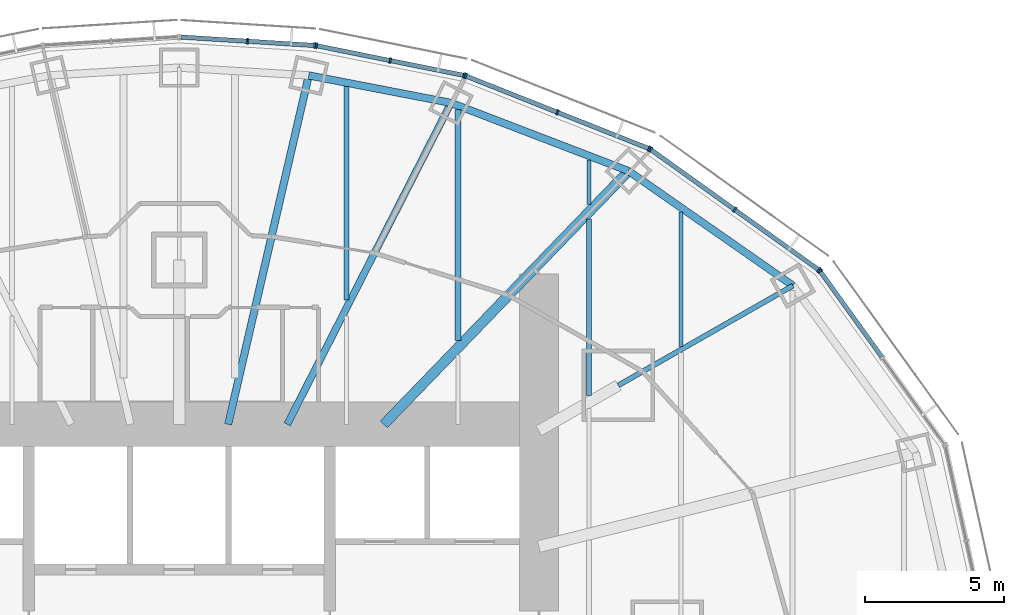
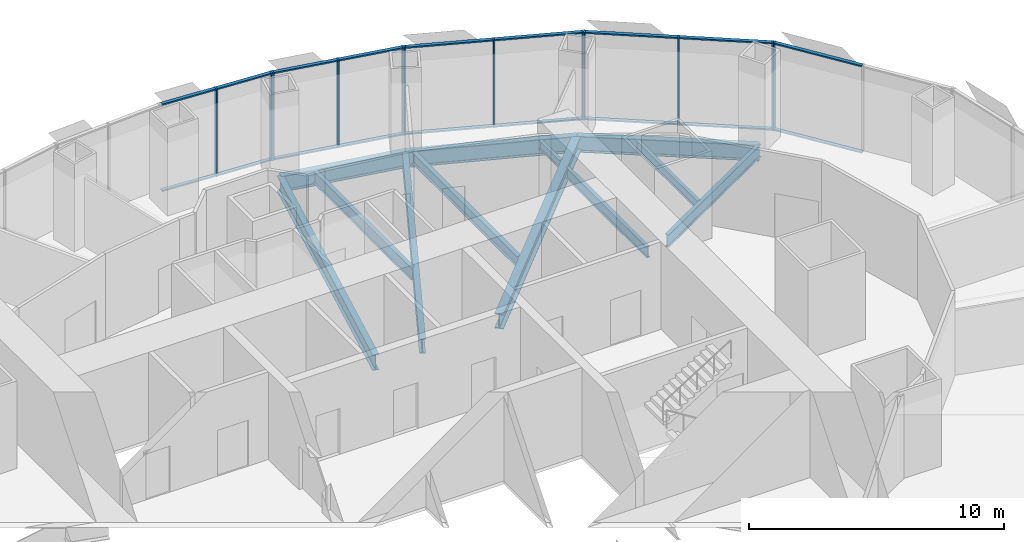
# One storey, part 8 of 18: 30 members, 12 beams, 5 elements without a shape of their own.
"""IFC4 building model written with IfcOpenShell, lengths in metres."""

from ifc_helpers import new_model, si_unit, direction, frame, origin, origin_2d, place, context, subcontext, project, spatial, rectangle, i_section, extrude, material, material_profile, profile_set, type_object, element, aggregate, save


model = new_model("IFC4")

# Units and contexts
model_context = context("Model", 3, precision=1e-05, world=origin(), true_north=direction((0.0, 1.0)))
body_context = subcontext(model_context, "Body", "Model", "MODEL_VIEW")
ifc_project = project(units=[si_unit("LENGTHUNIT", "METRE"), si_unit("AREAUNIT", "SQUARE_METRE"), si_unit("VOLUMEUNIT", "CUBIC_METRE"), si_unit("PLANEANGLEUNIT", "RADIAN"), si_unit("MASSUNIT", "GRAM", prefix="KILO")], contexts=[model_context])

# Site, building, storey
site_placement = place(None, origin())
site = spatial("IfcSite", under=ifc_project, at=site_placement, CompositionType="ELEMENT")
building_placement = place(site_placement, origin())
building = spatial("IfcBuilding", under=site, at=building_placement, Name="Lantaw Convention Tower", CompositionType="ELEMENT")
storey_placement = place(building_placement, frame((0.0, 0.0, 176.199951171875)))
storey = spatial("IfcBuildingStorey", under=building, at=storey_placement, Name="L41", CompositionType="ELEMENT", Elevation=176.199951171875)

# Beams
ifc_material_1 = material(Name="Steel ASTM A992", Category="steel")
ifc_material_profile_1 = material_profile(ifc_material_1, i_section(OverallWidth=0.2666015625, OverallDepth=0.76953125, WebThickness=0.015625, FlangeThickness=0.025390625, FilletRadius=0.0126953125, at=origin_2d()), Name="W30X132")
ifc_profile_set_1 = profile_set([ifc_material_profile_1], Name="Steel ASTM A992")
beam_type_1 = type_object("IfcBeamType", Name="Beam E W30X132", PredefinedType="SPANDREL", material=ifc_profile_set_1)
beam_1_placement = place(storey_placement, frame((22.013916015625, 12.579345703125, -0.53466796875), z_axis=(-0.820310765287, 0.57191804339, 0.0), x_axis=(-0.57191804339, -0.820310765287, 0.0)))
element("IfcBeam", 1, at=beam_1_placement, inside=storey, type_object=beam_type_1, Name="Edge beam 3", PredefinedType="SPANDREL", context=body_context, shape_type="SweptSolid", body=[
    extrude(i_section(OverallWidth=0.2666015625, OverallDepth=0.76953125, WebThickness=0.015625, FlangeThickness=0.025390625, FilletRadius=0.0126953125, at=origin_2d()), origin(), (0.0, 0.0, 1.0), 7.187744140625),
])
beam_2_placement = place(storey_placement, frame((16.11767578125, 16.690185546875, -0.53466796875), z_axis=(-0.933691081977, 0.358079549033, 0.0), x_axis=(-0.358079549033, -0.933691081977, 0.0)))
element("IfcBeam", 2, at=beam_2_placement, inside=storey, type_object=beam_type_1, Name="Edge beam 4", PredefinedType="SPANDREL", context=body_context, shape_type="SweptSolid", body=[
    extrude(i_section(OverallWidth=0.2666015625, OverallDepth=0.76953125, WebThickness=0.015625, FlangeThickness=0.025390625, FilletRadius=0.0126953125, at=origin_2d()), origin(), (0.0, 0.0, 1.0), 6.821533203125),
])
beam_3_placement = place(storey_placement, frame((9.74853515625, 19.1328125, -0.53466796875), z_axis=(-0.981796805654, 0.189934284446, 0.0), x_axis=(-0.189934284446, -0.981796805654, 0.0)))
element("IfcBeam", 3, at=beam_3_placement, inside=storey, type_object=beam_type_1, Name="Edge beam 5", PredefinedType="SPANDREL", context=body_context, shape_type="SweptSolid", body=[
    extrude(i_section(OverallWidth=0.2666015625, OverallDepth=0.76953125, WebThickness=0.015625, FlangeThickness=0.025390625, FilletRadius=0.0126953125, at=origin_2d()), origin(), (0.0, 0.0, 1.0), 5.1982421875),
])
ifc_material_profile_2 = material_profile(ifc_material_1, i_section(OverallWidth=0.177978515625, OverallDepth=0.599365234375, WebThickness=0.010009765625, FlangeThickness=0.012939453125, FilletRadius=0.012939453125, at=origin_2d()), Name="W24X55")
ifc_profile_set_2 = profile_set([ifc_material_profile_2], Name="Steel ASTM A992")
beam_type_2 = type_object("IfcBeamType", Name="Beam G W24X55", PredefinedType="BEAM", material=ifc_profile_set_2)
beam_4_placement = place(storey_placement, frame((15.75, 9.0, -0.44970703125), z_axis=(0.868245224608, 0.496135293993, 0.0), x_axis=(-0.496135293993, 0.868245224608, 0.0)))
element("IfcBeam", 4, at=beam_4_placement, inside=storey, type_object=beam_type_2, Name="Floor girder on ray 3", PredefinedType="BEAM", context=body_context, shape_type="SweptSolid", body=[
    extrude(i_section(OverallWidth=0.177978515625, OverallDepth=0.599365234375, WebThickness=0.010009765625, FlangeThickness=0.012939453125, FilletRadius=0.012939453125, at=origin_2d()), origin(), (0.0, 0.0, 1.0), 7.21435546875),
])
ifc_material_profile_3 = material_profile(ifc_material_1, i_section(OverallWidth=0.25390625, OverallDepth=0.700927734375, WebThickness=0.015380859375, FlangeThickness=0.02783203125, FilletRadius=0.01513671875, at=origin_2d()), Name="W27X129")
ifc_profile_set_3 = profile_set([ifc_material_profile_3], Name="Steel ASTM A992")
beam_type_3 = type_object("IfcBeamType", Name="Beam G W27X129", PredefinedType="BEAM", material=ifc_profile_set_3)
beam_5_placement = place(storey_placement, frame((3.872314453125, 7.60009765625, -0.50048828125), z_axis=(0.453991051051, 0.891006243281, 0.0), x_axis=(-0.891006243281, 0.453991051051, 0.0)))
element("IfcBeam", 5, at=beam_5_placement, inside=storey, type_object=beam_type_3, Name="Floor girder on ray 5", PredefinedType="BEAM", context=body_context, shape_type="SweptSolid", body=[
    extrude(i_section(OverallWidth=0.25390625, OverallDepth=0.700927734375, WebThickness=0.015380859375, FlangeThickness=0.02783203125, FilletRadius=0.01513671875, at=origin_2d()), origin(), (0.0, 0.0, 1.0), 12.943359375),
])
ifc_material_profile_4 = material_profile(ifc_material_1, i_section(OverallWidth=0.360595703125, OverallDepth=0.72900390625, WebThickness=0.023193359375, FlangeThickness=0.041015625, FilletRadius=0.0126953125, at=origin_2d()), Name="W27X235")
ifc_profile_set_4 = profile_set([ifc_material_profile_4], Name="Steel ASTM A992")
beam_type_4 = type_object("IfcBeamType", Name="Beam G W27X235", PredefinedType="BEAM", material=ifc_profile_set_4)
beam_6_placement = place(storey_placement, frame((7.33935546875, 7.60009765625, -0.514404296875), z_axis=(0.694663467407, 0.719334878239, 0.0), x_axis=(-0.719334878239, 0.694663467407, 0.0)))
element("IfcBeam", 6, at=beam_6_placement, inside=storey, type_object=beam_type_4, Name="Floor girder on ray 4", PredefinedType="BEAM", context=body_context, shape_type="SweptSolid", body=[
    extrude(i_section(OverallWidth=0.360595703125, OverallDepth=0.72900390625, WebThickness=0.023193359375, FlangeThickness=0.041015625, FilletRadius=0.0126953125, at=origin_2d()), origin(), (0.0, 0.0, 1.0), 12.63671875),
])
ifc_material_profile_5 = material_profile(ifc_material_1, i_section(OverallWidth=0.2666015625, OverallDepth=0.7568359375, WebThickness=0.013916015625, FlangeThickness=0.019287109375, FilletRadius=0.0126953125, at=origin_2d()), Name="W30X108")
ifc_profile_set_5 = profile_set([ifc_material_profile_5], Name="Steel ASTM A992")
beam_type_5 = type_object("IfcBeamType", Name="Beam G W30X108", PredefinedType="BEAM", material=ifc_profile_set_5)
beam_7_placement = place(storey_placement, frame((1.754638671875, 7.60009765625, -0.5283203125), z_axis=(0.224944153104, 0.974371658036, 0.0), x_axis=(-0.974371658036, 0.224944153104, 0.0)))
element("IfcBeam", 7, at=beam_7_placement, inside=storey, type_object=beam_type_5, Name="Floor girder on ray 6", PredefinedType="BEAM", context=body_context, shape_type="SweptSolid", body=[
    extrude(i_section(OverallWidth=0.2666015625, OverallDepth=0.7568359375, WebThickness=0.013916015625, FlangeThickness=0.019287109375, FilletRadius=0.0126953125, at=origin_2d()), origin(), (0.0, 0.0, 1.0), 12.849365234375),
])
ifc_material_profile_6 = material_profile(ifc_material_1, i_section(OverallWidth=0.140380859375, OverallDepth=0.40380859375, WebThickness=0.007080078125, FlangeThickness=0.01123046875, FilletRadius=0.01025390625, at=origin_2d()), Name="W16X31")
ifc_profile_set_6 = profile_set([ifc_material_profile_6], Name="Steel ASTM A992")
beam_type_6 = type_object("IfcBeamType", Name="Beam J W16X31", PredefinedType="JOIST", material=ifc_profile_set_6)
beam_8_placement = place(storey_placement, frame((14.699951171875, 15.48193359375, -0.351806640625), z_axis=(0.0, 1.0, 0.0), x_axis=(-1.0, 0.0, 0.0)))
element("IfcBeam", 8, at=beam_8_placement, inside=storey, type_object=beam_type_6, Name="Floor joist", PredefinedType="JOIST", context=body_context, shape_type="SweptSolid", body=[
    extrude(i_section(OverallWidth=0.140380859375, OverallDepth=0.40380859375, WebThickness=0.007080078125, FlangeThickness=0.01123046875, FilletRadius=0.01025390625, at=origin_2d()), origin(), (0.0, 0.0, 1.0), 1.609130859375),
])
ifc_material_profile_7 = material_profile(ifc_material_1, i_section(OverallWidth=0.15234375, OverallDepth=0.449462890625, WebThickness=0.007568359375, FlangeThickness=0.0107421875, FilletRadius=0.01025390625, at=origin_2d()), Name="W18X35")
ifc_profile_set_7 = profile_set([ifc_material_profile_7], Name="Steel ASTM A992")
beam_type_7 = type_object("IfcBeamType", Name="Beam J W18X35", PredefinedType="JOIST", material=ifc_profile_set_7)
beam_9_placement = place(storey_placement, frame((18.0, 10.38818359375, -0.374755859375), z_axis=(0.0, 1.0, 0.0), x_axis=(-1.0, 0.0, 0.0)))
element("IfcBeam", 9, at=beam_9_placement, inside=storey, type_object=beam_type_7, Name="Floor joist", PredefinedType="JOIST", context=body_context, shape_type="SweptSolid", body=[
    extrude(i_section(OverallWidth=0.15234375, OverallDepth=0.449462890625, WebThickness=0.007568359375, FlangeThickness=0.0107421875, FilletRadius=0.01025390625, at=origin_2d()), origin(), (0.0, 0.0, 1.0), 4.8271484375),
])
ifc_material_profile_8 = material_profile(ifc_material_1, i_section(OverallWidth=0.1650390625, OverallDepth=0.52587890625, WebThickness=0.0087890625, FlangeThickness=0.011474609375, FilletRadius=0.0126953125, at=origin_2d()), Name="W21X44")
ifc_profile_set_8 = profile_set([ifc_material_profile_8], Name="Steel ASTM A992")
beam_type_8 = type_object("IfcBeamType", Name="Beam J W21X44", PredefinedType="JOIST", material=ifc_profile_set_8)
beam_10_placement = place(storey_placement, frame((14.699951171875, 8.632568359375, -0.412841796875), z_axis=(0.0, 1.0, 0.0), x_axis=(-1.0, 0.0, 0.0)))
element("IfcBeam", 10, at=beam_10_placement, inside=storey, type_object=beam_type_8, Name="Floor joist", PredefinedType="JOIST", context=body_context, shape_type="SweptSolid", body=[
    extrude(i_section(OverallWidth=0.1650390625, OverallDepth=0.52587890625, WebThickness=0.0087890625, FlangeThickness=0.011474609375, FilletRadius=0.0126953125, at=origin_2d()), origin(), (0.0, 0.0, 1.0), 6.330078125),
])
ifc_material_profile_9 = material_profile(ifc_material_1, i_section(OverallWidth=0.2099609375, OverallDepth=0.535888671875, WebThickness=0.010986328125, FlangeThickness=0.017333984375, FilletRadius=0.012939453125, at=origin_2d()), Name="W21X68")
ifc_profile_set_9 = profile_set([ifc_material_profile_9], Name="Steel ASTM A992")
beam_type_9 = type_object("IfcBeamType", Name="Beam J W21X68", PredefinedType="JOIST", material=ifc_profile_set_9)
beam_11_placement = place(storey_placement, frame((10.0, 10.614990234375, -0.41796875), z_axis=(0.0, 1.0, 0.0), x_axis=(-1.0, 0.0, 0.0)))
element("IfcBeam", 11, at=beam_11_placement, inside=storey, type_object=beam_type_9, Name="Floor joist", PredefinedType="JOIST", context=body_context, shape_type="SweptSolid", body=[
    extrude(i_section(OverallWidth=0.2099609375, OverallDepth=0.535888671875, WebThickness=0.010986328125, FlangeThickness=0.017333984375, FilletRadius=0.012939453125, at=origin_2d()), origin(), (0.0, 0.0, 1.0), 8.278564453125),
])
ifc_material_profile_10 = material_profile(ifc_material_1, i_section(OverallWidth=0.177978515625, OverallDepth=0.599365234375, WebThickness=0.010009765625, FlangeThickness=0.012939453125, FilletRadius=0.012939453125, at=origin_2d()), Name="W24X55")
ifc_profile_set_10 = profile_set([ifc_material_profile_10], Name="Steel ASTM A992")
beam_type_10 = type_object("IfcBeamType", Name="Beam J W24X55", PredefinedType="JOIST", material=ifc_profile_set_10)
beam_12_placement = place(storey_placement, frame((6.0, 12.055419921875, -0.44970703125), z_axis=(0.0, 1.0, 0.0), x_axis=(-1.0, 0.0, 0.0)))
element("IfcBeam", 12, at=beam_12_placement, inside=storey, type_object=beam_type_10, Name="Floor joist", PredefinedType="JOIST", context=body_context, shape_type="SweptSolid", body=[
    extrude(i_section(OverallWidth=0.177978515625, OverallDepth=0.599365234375, WebThickness=0.010009765625, FlangeThickness=0.012939453125, FilletRadius=0.012939453125, at=origin_2d()), origin(), (0.0, 0.0, 1.0), 7.666748046875),
])

# Curtain wall, member
ifc_material_2 = material(Name="Aluminium framed curtain wall", Category="aluminium")
curtain_wall_type = type_object("IfcCurtainWallType", Name="Office curtain wall low rise, pale aluminium", PredefinedType="USERDEFINED", material=ifc_material_2)
curtain_wall_1_placement = place(storey_placement, origin())
curtain_wall_1 = element("IfcCurtainWall", 13, at=curtain_wall_1_placement, inside=storey, type_object=curtain_wall_type, Name="Office curtain wall low rise, pale aluminium L41", ObjectType="UNITISED CURTAIN WALL", PredefinedType="USERDEFINED")
ifc_material_3 = material(Name="Aluminium 6063-T6", Category="aluminium")
ifc_material_profile_11 = material_profile(ifc_material_3, rectangle(XDim=0.199951171875, YDim=0.06494140625, at=origin_2d()), Name="CW-O1 mullion 65x200")
ifc_profile_set_11 = profile_set([ifc_material_profile_11], Name="Aluminium 6063-T6")
member_type_1 = type_object("IfcMemberType", Name="CW-O1 mullion 65x200", PredefinedType="MULLION", material=ifc_profile_set_11)
member_1_placement = place(storey_placement, frame((22.988037109375, 13.098876953125, -0.14990234375), z_axis=(0.0, 0.0, 1.0), x_axis=(-0.811384633629, -0.584512597221, 0.0)))
member_1 = element("IfcMember", 14, at=member_1_placement, type_object=member_type_1, Name="CW-O1 mullion 3", PredefinedType="MULLION", context=body_context, shape_type="SweptSolid", body=[
    extrude(rectangle(XDim=0.199951171875, YDim=0.06494140625, at=origin_2d()), origin(), (0.0, 0.0, 1.0), 4.199951171875),
])

# Curtain wall, members
curtain_wall_2_placement = place(storey_placement, origin())
curtain_wall_2 = element("IfcCurtainWall", 15, at=curtain_wall_2_placement, inside=storey, type_object=curtain_wall_type, Name="Office curtain wall low rise, pale aluminium L41", ObjectType="UNITISED CURTAIN WALL", PredefinedType="USERDEFINED")
member_2_placement = place(storey_placement, frame((22.942626953125, 13.14404296875, -0.14990234375), z_axis=(0.0, 0.0, 1.0), x_axis=(-0.581972695693, -0.813208325995, 0.0)))
member_2 = element("IfcMember", 16, at=member_2_placement, type_object=member_type_1, Name="CW-O1 mullion 1", PredefinedType="MULLION", context=body_context, shape_type="SweptSolid", body=[
    extrude(rectangle(XDim=0.199951171875, YDim=0.06494140625, at=origin_2d()), origin(), (0.0, 0.0, 1.0), 4.199951171875),
])
member_3_placement = place(storey_placement, frame((19.92529296875, 15.303466796875, -0.14990234375), z_axis=(0.0, 0.0, 1.0), x_axis=(-0.581972695693, -0.813208325995, 0.0)))
member_3 = element("IfcMember", 17, at=member_3_placement, type_object=member_type_1, Name="CW-O1 mullion 2", PredefinedType="MULLION", context=body_context, shape_type="SweptSolid", body=[
    extrude(rectangle(XDim=0.199951171875, YDim=0.06494140625, at=origin_2d()), origin(), (0.0, 0.0, 1.0), 4.199951171875),
])
member_4_placement = place(storey_placement, frame((16.908203125, 17.462646484375, -0.14990234375), z_axis=(0.0, 0.0, 1.0), x_axis=(-0.581972695693, -0.813208325995, 0.0)))
member_4 = element("IfcMember", 18, at=member_4_placement, type_object=member_type_1, Name="CW-O1 mullion 3", PredefinedType="MULLION", context=body_context, shape_type="SweptSolid", body=[
    extrude(rectangle(XDim=0.199951171875, YDim=0.06494140625, at=origin_2d()), origin(), (0.0, 0.0, 1.0), 4.199951171875),
])

curtain_wall_3_placement = place(storey_placement, origin())
curtain_wall_3 = element("IfcCurtainWall", 19, at=curtain_wall_3_placement, inside=storey, type_object=curtain_wall_type, Name="Office curtain wall low rise, pale aluminium L41", ObjectType="UNITISED CURTAIN WALL", PredefinedType="USERDEFINED")
member_5_placement = place(storey_placement, frame((16.8515625, 17.49365234375, -0.14990234375), z_axis=(0.0, 0.0, 1.0), x_axis=(-0.368701907483, -0.929547687544, 0.0)))
member_5 = element("IfcMember", 20, at=member_5_placement, type_object=member_type_1, Name="CW-O1 mullion 1", PredefinedType="MULLION", context=body_context, shape_type="SweptSolid", body=[
    extrude(rectangle(XDim=0.199951171875, YDim=0.06494140625, at=origin_2d()), origin(), (0.0, 0.0, 1.0), 4.199951171875),
])
member_6_placement = place(storey_placement, frame((13.56494140625, 18.797119140625, -0.14990234375), z_axis=(0.0, 0.0, 1.0), x_axis=(-0.368701907483, -0.929547687544, 0.0)))
member_6 = element("IfcMember", 21, at=member_6_placement, type_object=member_type_1, Name="CW-O1 mullion 2", PredefinedType="MULLION", context=body_context, shape_type="SweptSolid", body=[
    extrude(rectangle(XDim=0.199951171875, YDim=0.06494140625, at=origin_2d()), origin(), (0.0, 0.0, 1.0), 4.199951171875),
])
member_7_placement = place(storey_placement, frame((10.2783203125, 20.100830078125, -0.14990234375), z_axis=(0.0, 0.0, 1.0), x_axis=(-0.368701907483, -0.929547687544, 0.0)))
member_7 = element("IfcMember", 22, at=member_7_placement, type_object=member_type_1, Name="CW-O1 mullion 3", PredefinedType="MULLION", context=body_context, shape_type="SweptSolid", body=[
    extrude(rectangle(XDim=0.199951171875, YDim=0.06494140625, at=origin_2d()), origin(), (0.0, 0.0, 1.0), 4.199951171875),
])

curtain_wall_4_placement = place(storey_placement, origin())
curtain_wall_4 = element("IfcCurtainWall", 23, at=curtain_wall_4_placement, inside=storey, type_object=curtain_wall_type, Name="Office curtain wall low rise, pale aluminium L41", ObjectType="UNITISED CURTAIN WALL", PredefinedType="USERDEFINED")
member_8_placement = place(storey_placement, frame((10.216064453125, 20.119140625, -0.14990234375), z_axis=(0.0, 0.0, 1.0), x_axis=(-0.197506809659, -0.980301514912, 0.0)))
member_8 = element("IfcMember", 24, at=member_8_placement, type_object=member_type_1, Name="CW-O1 mullion 1", PredefinedType="MULLION", context=body_context, shape_type="SweptSolid", body=[
    extrude(rectangle(XDim=0.199951171875, YDim=0.06494140625, at=origin_2d()), origin(), (0.0, 0.0, 1.0), 4.199951171875),
])
member_9_placement = place(storey_placement, frame((7.5703125, 20.65234375, -0.14990234375), z_axis=(0.0, 0.0, 1.0), x_axis=(-0.197506809659, -0.980301514912, 0.0)))
member_9 = element("IfcMember", 25, at=member_9_placement, type_object=member_type_1, Name="CW-O1 mullion 2", PredefinedType="MULLION", context=body_context, shape_type="SweptSolid", body=[
    extrude(rectangle(XDim=0.199951171875, YDim=0.06494140625, at=origin_2d()), origin(), (0.0, 0.0, 1.0), 4.199951171875),
])
member_10_placement = place(storey_placement, frame((4.92431640625, 21.185302734375, -0.14990234375), z_axis=(0.0, 0.0, 1.0), x_axis=(-0.197506809659, -0.980301514912, 0.0)))
member_10 = element("IfcMember", 26, at=member_10_placement, type_object=member_type_1, Name="CW-O1 mullion 3", PredefinedType="MULLION", context=body_context, shape_type="SweptSolid", body=[
    extrude(rectangle(XDim=0.199951171875, YDim=0.06494140625, at=origin_2d()), origin(), (0.0, 0.0, 1.0), 4.199951171875),
])

curtain_wall_5_placement = place(storey_placement, origin())
curtain_wall_5 = element("IfcCurtainWall", 27, at=curtain_wall_5_placement, inside=storey, type_object=curtain_wall_type, Name="Office curtain wall low rise, pale aluminium L41", ObjectType="UNITISED CURTAIN WALL", PredefinedType="USERDEFINED")
member_11_placement = place(storey_placement, frame((4.860107421875, 21.19384765625, -0.14990234375), z_axis=(0.0, 0.0, 1.0), x_axis=(-0.062865059466, -0.998022035978, 0.0)))
member_11 = element("IfcMember", 28, at=member_11_placement, type_object=member_type_1, Name="CW-O1 mullion 1", PredefinedType="MULLION", context=body_context, shape_type="SweptSolid", body=[
    extrude(rectangle(XDim=0.199951171875, YDim=0.06494140625, at=origin_2d()), origin(), (0.0, 0.0, 1.0), 4.199951171875),
])
member_12_placement = place(storey_placement, frame((2.4462890625, 21.345947265625, -0.14990234375), z_axis=(0.0, 0.0, 1.0), x_axis=(-0.062865059466, -0.998022035978, 0.0)))
member_12 = element("IfcMember", 29, at=member_12_placement, type_object=member_type_1, Name="CW-O1 mullion 2", PredefinedType="MULLION", context=body_context, shape_type="SweptSolid", body=[
    extrude(rectangle(XDim=0.199951171875, YDim=0.06494140625, at=origin_2d()), origin(), (0.0, 0.0, 1.0), 4.199951171875),
])

# Member
ifc_material_profile_12 = material_profile(ifc_material_3, rectangle(XDim=0.159912109375, YDim=0.06494140625, at=origin_2d()), Name="CW-O1 transom 65x160")
ifc_profile_set_12 = profile_set([ifc_material_profile_12], Name="Aluminium 6063-T6")
member_type_2 = type_object("IfcMemberType", Name="CW-O1 transom 65x160", PredefinedType="USERDEFINED", material=ifc_profile_set_12)
member_13_placement = place(storey_placement, frame((25.209228515625, 10.015625, -0.117431640625), z_axis=(-0.584512973979, 0.811384362217, 0.0), x_axis=(-0.811384362217, -0.584512973979, 0.0)))
member_13 = element("IfcMember", 30, at=member_13_placement, type_object=member_type_2, Name="CW-O1 transom 2.1", ObjectType="TRANSOM", PredefinedType="USERDEFINED", context=body_context, shape_type="SweptSolid", body=[
    extrude(rectangle(XDim=0.159912109375, YDim=0.06494140625, at=origin_2d()), origin(), (0.0, 0.0, 1.0), 3.767578125),
])

member_14_placement = place(storey_placement, frame((25.209228515625, 10.015625, 4.017578125), z_axis=(-0.584512973979, 0.811384362217, 0.0), x_axis=(-0.811384362217, -0.584512973979, 0.0)))
member_14 = element("IfcMember", 31, at=member_14_placement, type_object=member_type_2, Name="CW-O1 transom 2.2", ObjectType="TRANSOM", PredefinedType="USERDEFINED", context=body_context, shape_type="SweptSolid", body=[
    extrude(rectangle(XDim=0.159912109375, YDim=0.06494140625, at=origin_2d()), origin(), (0.0, 0.0, 1.0), 3.767578125),
])

aggregate(curtain_wall_1, [member_1, member_13, member_14])

member_15_placement = place(storey_placement, frame((22.916259765625, 13.1630859375, -0.117431640625), z_axis=(-0.813221785972, 0.581953887194, 0.0), x_axis=(-0.581953887194, -0.813221785972, 0.0)))
member_15 = element("IfcMember", 32, at=member_15_placement, type_object=member_type_2, Name="CW-O1 transom 1.1", ObjectType="TRANSOM", PredefinedType="USERDEFINED", context=body_context, shape_type="SweptSolid", body=[
    extrude(rectangle(XDim=0.159912109375, YDim=0.06494140625, at=origin_2d()), origin(), (0.0, 0.0, 1.0), 3.645263671875),
])

member_16_placement = place(storey_placement, frame((22.916259765625, 13.1630859375, 4.017578125), z_axis=(-0.813221785972, 0.581953887194, 0.0), x_axis=(-0.581953887194, -0.813221785972, 0.0)))
member_16 = element("IfcMember", 33, at=member_16_placement, type_object=member_type_2, Name="CW-O1 transom 1.2", ObjectType="TRANSOM", PredefinedType="USERDEFINED", context=body_context, shape_type="SweptSolid", body=[
    extrude(rectangle(XDim=0.159912109375, YDim=0.06494140625, at=origin_2d()), origin(), (0.0, 0.0, 1.0), 3.645263671875),
])

member_17_placement = place(storey_placement, frame((19.89892578125, 15.322265625, -0.117431640625), z_axis=(-0.813190089133, 0.581998177777, 0.0), x_axis=(-0.581998177777, -0.813190089133, 0.0)))
member_17 = element("IfcMember", 34, at=member_17_placement, type_object=member_type_2, Name="CW-O1 transom 2.1", ObjectType="TRANSOM", PredefinedType="USERDEFINED", context=body_context, shape_type="SweptSolid", body=[
    extrude(rectangle(XDim=0.159912109375, YDim=0.06494140625, at=origin_2d()), origin(), (0.0, 0.0, 1.0), 3.645263671875),
])

member_18_placement = place(storey_placement, frame((19.89892578125, 15.322265625, 4.017578125), z_axis=(-0.813190089133, 0.581998177777, 0.0), x_axis=(-0.581998177777, -0.813190089133, 0.0)))
member_18 = element("IfcMember", 35, at=member_18_placement, type_object=member_type_2, Name="CW-O1 transom 2.2", ObjectType="TRANSOM", PredefinedType="USERDEFINED", context=body_context, shape_type="SweptSolid", body=[
    extrude(rectangle(XDim=0.159912109375, YDim=0.06494140625, at=origin_2d()), origin(), (0.0, 0.0, 1.0), 3.645263671875),
])

aggregate(curtain_wall_2, [member_2, member_3, member_4, member_15, member_16, member_17, member_18])

member_19_placement = place(storey_placement, frame((16.8212890625, 17.505615234375, -0.117431640625), z_axis=(-0.929564188507, 0.368660303592, 0.0), x_axis=(-0.368660303592, -0.929564188507, 0.0)))
member_19 = element("IfcMember", 36, at=member_19_placement, type_object=member_type_2, Name="CW-O1 transom 1.1", ObjectType="TRANSOM", PredefinedType="USERDEFINED", context=body_context, shape_type="SweptSolid", body=[
    extrude(rectangle(XDim=0.159912109375, YDim=0.06494140625, at=origin_2d()), origin(), (0.0, 0.0, 1.0), 3.470703125),
])

member_20_placement = place(storey_placement, frame((16.8212890625, 17.505615234375, 4.017578125), z_axis=(-0.929564188507, 0.368660303592, 0.0), x_axis=(-0.368660303592, -0.929564188507, 0.0)))
member_20 = element("IfcMember", 37, at=member_20_placement, type_object=member_type_2, Name="CW-O1 transom 1.2", ObjectType="TRANSOM", PredefinedType="USERDEFINED", context=body_context, shape_type="SweptSolid", body=[
    extrude(rectangle(XDim=0.159912109375, YDim=0.06494140625, at=origin_2d()), origin(), (0.0, 0.0, 1.0), 3.470703125),
])

member_21_placement = place(storey_placement, frame((13.53466796875, 18.80908203125, -0.117431640625), z_axis=(-0.929540081544, 0.368721082668, 0.0), x_axis=(-0.368721082668, -0.929540081544, 0.0)))
member_21 = element("IfcMember", 38, at=member_21_placement, type_object=member_type_2, Name="CW-O1 transom 2.1", ObjectType="TRANSOM", PredefinedType="USERDEFINED", context=body_context, shape_type="SweptSolid", body=[
    extrude(rectangle(XDim=0.159912109375, YDim=0.06494140625, at=origin_2d()), origin(), (0.0, 0.0, 1.0), 3.470947265625),
])

member_22_placement = place(storey_placement, frame((13.53466796875, 18.80908203125, 4.017578125), z_axis=(-0.929540081544, 0.368721082668, 0.0), x_axis=(-0.368721082668, -0.929540081544, 0.0)))
member_22 = element("IfcMember", 39, at=member_22_placement, type_object=member_type_2, Name="CW-O1 transom 2.2", ObjectType="TRANSOM", PredefinedType="USERDEFINED", context=body_context, shape_type="SweptSolid", body=[
    extrude(rectangle(XDim=0.159912109375, YDim=0.06494140625, at=origin_2d()), origin(), (0.0, 0.0, 1.0), 3.470947265625),
])

aggregate(curtain_wall_3, [member_5, member_6, member_7, member_19, member_20, member_21, member_22])

member_23_placement = place(storey_placement, frame((10.184326171875, 20.125732421875, -0.117431640625), z_axis=(-0.980301643003, 0.197506173891, 0.0), x_axis=(-0.197506173891, -0.980301643003, 0.0)))
member_23 = element("IfcMember", 40, at=member_23_placement, type_object=member_type_2, Name="CW-O1 transom 1.1", ObjectType="TRANSOM", PredefinedType="USERDEFINED", context=body_context, shape_type="SweptSolid", body=[
    extrude(rectangle(XDim=0.159912109375, YDim=0.06494140625, at=origin_2d()), origin(), (0.0, 0.0, 1.0), 2.63427734375),
])

member_24_placement = place(storey_placement, frame((10.184326171875, 20.125732421875, 4.017578125), z_axis=(-0.980301643003, 0.197506173891, 0.0), x_axis=(-0.197506173891, -0.980301643003, 0.0)))
member_24 = element("IfcMember", 41, at=member_24_placement, type_object=member_type_2, Name="CW-O1 transom 1.2", ObjectType="TRANSOM", PredefinedType="USERDEFINED", context=body_context, shape_type="SweptSolid", body=[
    extrude(rectangle(XDim=0.159912109375, YDim=0.06494140625, at=origin_2d()), origin(), (0.0, 0.0, 1.0), 2.63427734375),
])

member_25_placement = place(storey_placement, frame((7.538330078125, 20.65869140625, -0.117431640625), z_axis=(-0.980298027092, 0.197524120247, 0.0), x_axis=(-0.197524120247, -0.980298027092, 0.0)))
member_25 = element("IfcMember", 42, at=member_25_placement, type_object=member_type_2, Name="CW-O1 transom 2.1", ObjectType="TRANSOM", PredefinedType="USERDEFINED", context=body_context, shape_type="SweptSolid", body=[
    extrude(rectangle(XDim=0.159912109375, YDim=0.06494140625, at=origin_2d()), origin(), (0.0, 0.0, 1.0), 2.634033203125),
])

member_26_placement = place(storey_placement, frame((7.538330078125, 20.65869140625, 4.017578125), z_axis=(-0.980298027092, 0.197524120247, 0.0), x_axis=(-0.197524120247, -0.980298027092, 0.0)))
member_26 = element("IfcMember", 43, at=member_26_placement, type_object=member_type_2, Name="CW-O1 transom 2.2", ObjectType="TRANSOM", PredefinedType="USERDEFINED", context=body_context, shape_type="SweptSolid", body=[
    extrude(rectangle(XDim=0.159912109375, YDim=0.06494140625, at=origin_2d()), origin(), (0.0, 0.0, 1.0), 2.634033203125),
])

aggregate(curtain_wall_4, [member_8, member_9, member_10, member_23, member_24, member_25, member_26])

member_27_placement = place(storey_placement, frame((4.82763671875, 21.19580078125, -0.117431640625), z_axis=(-0.998022188463, 0.062862638625, 0.0), x_axis=(-0.062862638625, -0.998022188463, 0.0)))
member_27 = element("IfcMember", 44, at=member_27_placement, type_object=member_type_2, Name="CW-O1 transom 1.1", ObjectType="TRANSOM", PredefinedType="USERDEFINED", context=body_context, shape_type="SweptSolid", body=[
    extrude(rectangle(XDim=0.159912109375, YDim=0.06494140625, at=origin_2d()), origin(), (0.0, 0.0, 1.0), 2.353515625),
])

member_28_placement = place(storey_placement, frame((4.82763671875, 21.19580078125, 4.017578125), z_axis=(-0.998022188463, 0.062862638625, 0.0), x_axis=(-0.062862638625, -0.998022188463, 0.0)))
member_28 = element("IfcMember", 45, at=member_28_placement, type_object=member_type_2, Name="CW-O1 transom 1.2", ObjectType="TRANSOM", PredefinedType="USERDEFINED", context=body_context, shape_type="SweptSolid", body=[
    extrude(rectangle(XDim=0.159912109375, YDim=0.06494140625, at=origin_2d()), origin(), (0.0, 0.0, 1.0), 2.353515625),
])

member_29_placement = place(storey_placement, frame((2.413818359375, 21.347900390625, -0.117431640625), z_axis=(-0.998022188463, 0.062862638625, 0.0), x_axis=(-0.062862638625, -0.998022188463, 0.0)))
member_29 = element("IfcMember", 46, at=member_29_placement, type_object=member_type_2, Name="CW-O1 transom 2.1", ObjectType="TRANSOM", PredefinedType="USERDEFINED", context=body_context, shape_type="SweptSolid", body=[
    extrude(rectangle(XDim=0.159912109375, YDim=0.06494140625, at=origin_2d()), origin(), (0.0, 0.0, 1.0), 2.353515625),
])

member_30_placement = place(storey_placement, frame((2.413818359375, 21.347900390625, 4.017578125), z_axis=(-0.998022188463, 0.062862638625, 0.0), x_axis=(-0.062862638625, -0.998022188463, 0.0)))
member_30 = element("IfcMember", 47, at=member_30_placement, type_object=member_type_2, Name="CW-O1 transom 2.2", ObjectType="TRANSOM", PredefinedType="USERDEFINED", context=body_context, shape_type="SweptSolid", body=[
    extrude(rectangle(XDim=0.159912109375, YDim=0.06494140625, at=origin_2d()), origin(), (0.0, 0.0, 1.0), 2.353515625),
])

aggregate(curtain_wall_5, [member_11, member_12, member_27, member_28, member_29, member_30])

save(model, "model.ifc")
